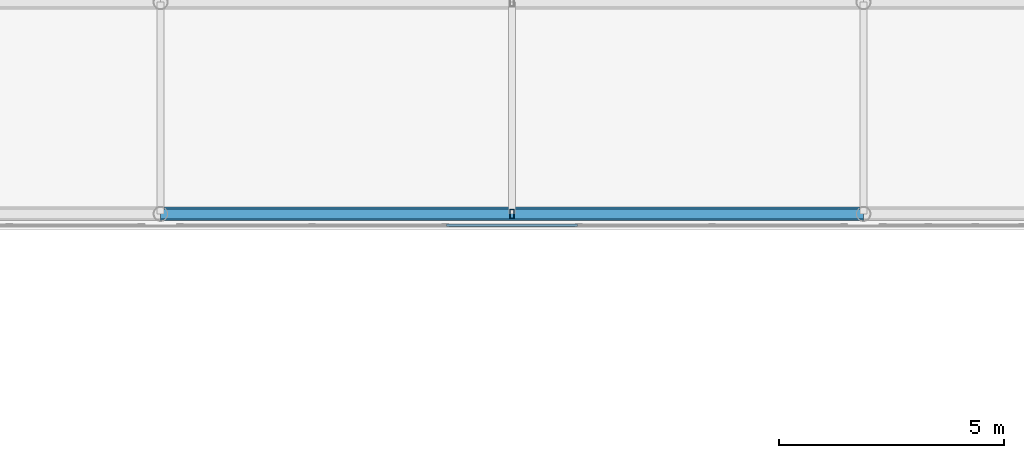
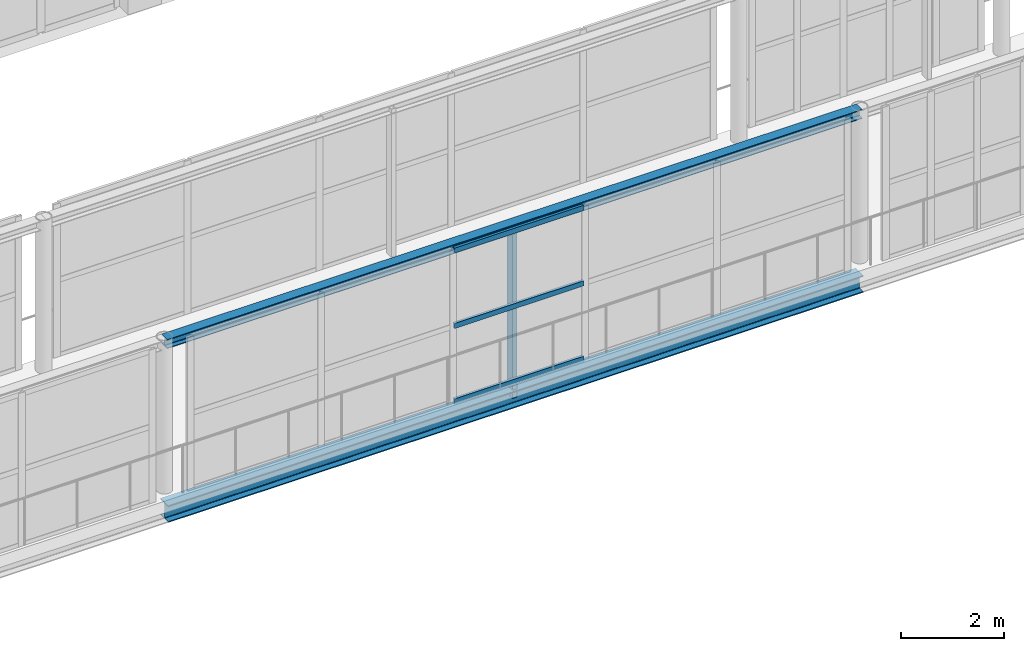
# One storey, part 71 of 167: 5 members, 1 beam, 1 element without a shape of its own.
"""IFC4 building model written with IfcOpenShell, lengths in metres."""

from ifc_helpers import new_model, si_unit, direction, frame, origin, origin_2d, place, context, subcontext, project, spatial, hollow_rectangle, i_section, extrude, material, layer, layer_set, material_profile, profile_set, type_object, element, aggregate, save


model = new_model("IFC4")

# Units and contexts
model_context = context("Model", 3, precision=1e-05, world=origin(), true_north=direction((0.0, 1.0)))
body_context = subcontext(model_context, "Body", "Model", "MODEL_VIEW")
ifc_project = project(units=[si_unit("LENGTHUNIT", "METRE"), si_unit("AREAUNIT", "SQUARE_METRE"), si_unit("VOLUMEUNIT", "CUBIC_METRE"), si_unit("PLANEANGLEUNIT", "RADIAN"), si_unit("MASSUNIT", "GRAM", prefix="KILO")], contexts=[model_context])

# Site, building, storey
site_placement = place(None, origin())
site = spatial("IfcSite", under=ifc_project, at=site_placement, CompositionType="ELEMENT")
building_placement = place(site_placement, origin())
building = spatial("IfcBuilding", under=site, at=building_placement, Name="Zizhar Promenade General Hospital", CompositionType="ELEMENT")
storey_placement = place(building_placement, frame((0.0, 0.0, 9.60009765625)))
storey = spatial("IfcBuildingStorey", under=building, at=storey_placement, Name="L02", CompositionType="ELEMENT", Elevation=9.60009765625)

# Beam
ifc_material_1 = material(Name="Steel S355", Category="steel")
ifc_material_profile_1 = material_profile(ifc_material_1, i_section(OverallWidth=0.300048828125, OverallDepth=0.39990234375, WebThickness=0.013427734375, FlangeThickness=0.02392578125, FilletRadius=0.027099609375, at=origin_2d()))
ifc_profile_set_1 = profile_set([ifc_material_profile_1], Name="Steel S355")
beam_type = type_object("IfcBeamType", Name="BM-STL-HEB400", PredefinedType="BEAM", material=ifc_profile_set_1)
beam_placement = place(storey_placement, frame((101.39990234375, 77.75, -0.5), z_axis=(1.0, 0.0, 0.0), x_axis=(0.0, 1.0, 0.0)))
element("IfcBeam", 1, at=beam_placement, inside=storey, type_object=beam_type, Name="SB-2 Bottom Chord 3S", PredefinedType="BEAM", context=body_context, shape_type="SweptSolid", body=[
    extrude(i_section(OverallWidth=0.300048828125, OverallDepth=0.39990234375, WebThickness=0.013427734375, FlangeThickness=0.02392578125, FilletRadius=0.027099609375, at=origin_2d()), origin(), (0.0, 0.0, 1.0), 15.60009765625),
])

# Curtain wall, members
ifc_material_2 = material(Name="Anodised aluminium 6063-T6 and low-E glass", Category="aluminium")
ifc_layer = layer(ifc_material_2, 0.159912109375)
ifc_layer_set = layer_set([ifc_layer], Name="Anodised aluminium 6063-T6 and low-E glass")
curtain_wall_type = type_object("IfcCurtainWallType", Name="CW-SKY-GLZ", PredefinedType="NOTDEFINED", material=ifc_layer_set)
curtain_wall_placement = place(storey_placement, origin())
curtain_wall = element("IfcCurtainWall", 2, at=curtain_wall_placement, inside=storey, type_object=curtain_wall_type, Name="Courtyard Surgical-Clinic Skybridge Level L02 South Glazing 3", PredefinedType="NOTDEFINED")
ifc_material_3 = material(Name="Anodised aluminium 6063-T6", Category="aluminium")
ifc_material_profile_2 = material_profile(ifc_material_3, hollow_rectangle(XDim=0.06005859375, YDim=0.1201171875, WallThickness=0.00390625, at=origin_2d()))
ifc_profile_set_2 = profile_set([ifc_material_profile_2], Name="Anodised aluminium 6063-T6")
member_type_1 = type_object("IfcMemberType", Name="CWT-ALU-120x60", PredefinedType="USERDEFINED", material=ifc_profile_set_2)
member_1_placement = place(storey_placement, frame((110.64990234375, 77.5, 0.02978515625), z_axis=(-1.0, 0.0, 0.0), x_axis=(0.0, -1.0, 0.0)))
member_1 = element("IfcMember", 3, at=member_1_placement, type_object=member_type_1, Name="CW-15 transom 3.1", ObjectType="TRANSOM", PredefinedType="USERDEFINED", context=body_context, shape_type="SweptSolid", body=[
    extrude(hollow_rectangle(XDim=0.06005859375, YDim=0.1201171875, WallThickness=0.00390625, at=origin_2d()), origin(), (0.0, 0.0, 1.0), 2.89990234375),
])
member_2_placement = place(storey_placement, frame((110.64990234375, 77.5, 1.81982421875), z_axis=(-1.0, 0.0, 0.0), x_axis=(0.0, -1.0, 0.0)))
member_2 = element("IfcMember", 4, at=member_2_placement, type_object=member_type_1, Name="CW-15 transom 3.2", ObjectType="TRANSOM", PredefinedType="USERDEFINED", context=body_context, shape_type="SweptSolid", body=[
    extrude(hollow_rectangle(XDim=0.06005859375, YDim=0.1201171875, WallThickness=0.00390625, at=origin_2d()), origin(), (0.0, 0.0, 1.0), 2.89990234375),
])
member_3_placement = place(storey_placement, frame((110.64990234375, 77.5, 3.60986328125), z_axis=(-1.0, 0.0, 0.0), x_axis=(0.0, -1.0, 0.0)))
member_3 = element("IfcMember", 5, at=member_3_placement, type_object=member_type_1, Name="CW-15 transom 3.3", ObjectType="TRANSOM", PredefinedType="USERDEFINED", context=body_context, shape_type="SweptSolid", body=[
    extrude(hollow_rectangle(XDim=0.06005859375, YDim=0.1201171875, WallThickness=0.00390625, at=origin_2d()), origin(), (0.0, 0.0, 1.0), 2.89990234375),
])
aggregate(curtain_wall, [member_1, member_2, member_3])

# Members
ifc_material_4 = material(Name="Steel S355", Category="steel")
ifc_material_profile_3 = material_profile(ifc_material_4, i_section(OverallWidth=0.219970703125, OverallDepth=0.219970703125, WebThickness=0.009521484375, FlangeThickness=0.01611328125, FilletRadius=0.01806640625, at=origin_2d()))
ifc_profile_set_3 = profile_set([ifc_material_profile_3], Name="Steel S355")
member_type_2 = type_object("IfcMemberType", Name="MEM-CHORD-HEB220", PredefinedType="CHORD", material=ifc_profile_set_3)
member_4_placement = place(storey_placement, frame((101.39990234375, 77.75, 3.510009765625), z_axis=(1.0, 0.0, 0.0), x_axis=(0.0, 1.0, 0.0)))
element("IfcMember", 6, at=member_4_placement, inside=storey, type_object=member_type_2, Name="SB-2 Top Chord 3S", PredefinedType="CHORD", context=body_context, shape_type="SweptSolid", body=[
    extrude(i_section(OverallWidth=0.219970703125, OverallDepth=0.219970703125, WebThickness=0.009521484375, FlangeThickness=0.01611328125, FilletRadius=0.01806640625, at=origin_2d()), origin(), (0.0, 0.0, 1.0), 15.60009765625),
])
ifc_material_5 = material(Name="Steel S355", Category="steel")
ifc_material_profile_4 = material_profile(ifc_material_5, hollow_rectangle(XDim=0.10009765625, YDim=0.199951171875, WallThickness=0.008056640625, at=origin_2d()))
ifc_profile_set_4 = profile_set([ifc_material_profile_4], Name="Steel S355")
member_type_3 = type_object("IfcMemberType", Name="MEM-STRUT-RHS200", PredefinedType="STRUT", material=ifc_profile_set_4)
member_5_placement = place(storey_placement, frame((109.199951171875, 77.75, -0.5), z_axis=(0.0, 0.0, 1.0), x_axis=(1.0, 0.0, 0.0)))
element("IfcMember", 7, at=member_5_placement, inside=storey, type_object=member_type_3, Name="SB-2 Vierendeel Post 3S", PredefinedType="STRUT", context=body_context, shape_type="SweptSolid", body=[
    extrude(hollow_rectangle(XDim=0.10009765625, YDim=0.199951171875, WallThickness=0.008056640625, at=origin_2d()), origin(), (0.0, 0.0, 1.0), 4.010009765625),
])

save(model, "model.ifc")
